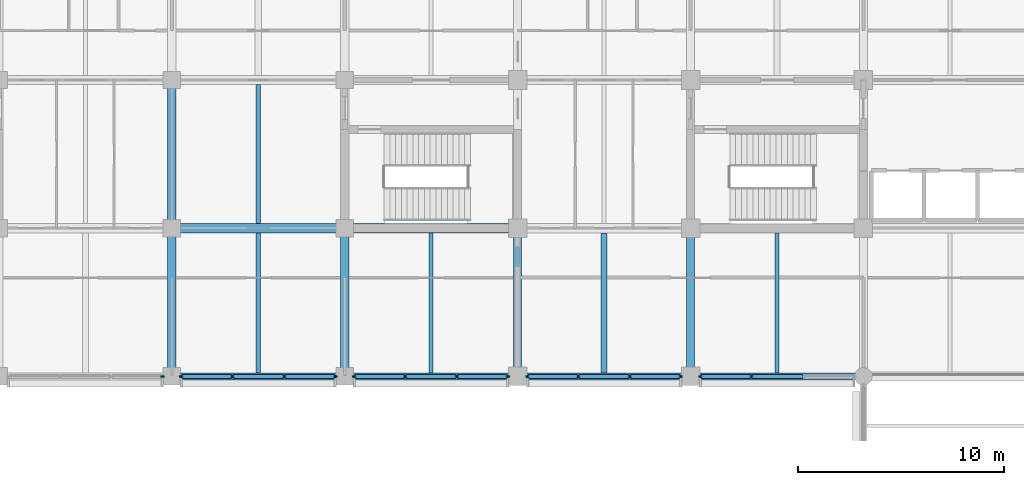
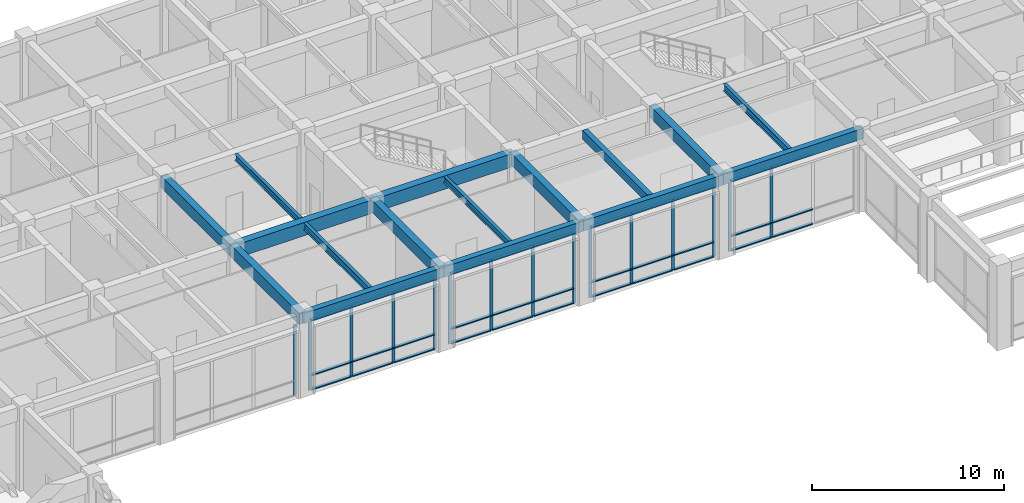
# One storey, part 6 of 58: 48 members, 16 beams, 5 elements without a shape of their own.
"""IFC4 building model written with IfcOpenShell, lengths in metres."""

from ifc_helpers import new_model, si_unit, direction, frame, origin, origin_2d, place, context, subcontext, project, spatial, rectangle, i_section, extrude, material, layer, layer_set, material_profile, profile_set, type_object, element, aggregate, save


model = new_model("IFC4")

# Units and contexts
model_context = context("Model", 3, precision=1e-05, world=origin(), true_north=direction((0.0, 1.0)))
body_context = subcontext(model_context, "Body", "Model", "MODEL_VIEW")
ifc_project = project(units=[si_unit("LENGTHUNIT", "METRE"), si_unit("AREAUNIT", "SQUARE_METRE"), si_unit("VOLUMEUNIT", "CUBIC_METRE"), si_unit("PLANEANGLEUNIT", "RADIAN"), si_unit("MASSUNIT", "GRAM", prefix="KILO")], contexts=[model_context])

# Site, building, storey
site_placement = place(None, origin())
site = spatial("IfcSite", under=ifc_project, at=site_placement, CompositionType="ELEMENT")
building_placement = place(site_placement, origin())
building = spatial("IfcBuilding", under=site, at=building_placement, Name="Chengyuan Square Courthouse", CompositionType="ELEMENT")
storey_placement = place(building_placement, frame((0.0, 0.0, 16.199951171875)))
storey = spatial("IfcBuildingStorey", under=building, at=storey_placement, Name="L04", CompositionType="ELEMENT", Elevation=16.199951171875)

# Beams
ifc_material_1 = material(Name="Concrete C40", Category="concrete")
ifc_material_profile_1 = material_profile(ifc_material_1, rectangle(XDim=0.449951171875, YDim=0.85009765625, at=origin_2d()), Name="RC-BM-450x850")
ifc_profile_set_1 = profile_set([ifc_material_profile_1], Name="Concrete C40")
beam_type_1 = type_object("IfcBeamType", Name="BM-01", PredefinedType="USERDEFINED", material=ifc_profile_set_1)
for number, where, z_axis, x_axis, name in (
    (1, (33.60009765625, 86.39990234375, 4.695068359375), (1.0, 0.0, 0.0), (0.0, 1.0, 0.0), "Girder BM-L04-2885"),
    (2, (42.0, 86.39990234375, 4.695068359375), (1.0, 0.0, 0.0), (0.0, 1.0, 0.0), "Girder BM-L04-2886"),
):
    element("IfcBeam", number, at=place(storey_placement, frame(where, z_axis=z_axis, x_axis=x_axis)), inside=storey, type_object=beam_type_1, Name=name, ObjectType="GIRDER", PredefinedType="USERDEFINED", context=body_context, shape_type="SweptSolid", body=[
        extrude(rectangle(XDim=0.449951171875, YDim=0.85009765625, at=origin_2d()), origin(), (0.0, 0.0, 1.0), 8.39990234375),
    ])
ifc_material_profile_2 = material_profile(ifc_material_1, rectangle(XDim=0.39990234375, YDim=0.75, at=origin_2d()), Name="RC-BM-400x750")
ifc_profile_set_2 = profile_set([ifc_material_profile_2], Name="Concrete C40")
beam_type_2 = type_object("IfcBeamType", Name="BM-02", PredefinedType="USERDEFINED", material=ifc_profile_set_2)
beam_1_placement = place(storey_placement, frame((33.60009765625, 79.199951171875, 4.7451171875), z_axis=(0.0, 1.0, 0.0), x_axis=(-1.0, 0.0, 0.0)))
element("IfcBeam", 3, at=beam_1_placement, inside=storey, type_object=beam_type_2, Name="Girder BM-L04-2997", ObjectType="GIRDER", PredefinedType="USERDEFINED", context=body_context, shape_type="SweptSolid", body=[
    extrude(rectangle(XDim=0.39990234375, YDim=0.75, at=origin_2d()), origin(), (0.0, 0.0, 1.0), 7.199951171875),
])
beam_2_placement = place(storey_placement, frame((33.60009765625, 86.39990234375, 4.7451171875), z_axis=(0.0, 1.0, 0.0), x_axis=(-1.0, 0.0, 0.0)))
element("IfcBeam", 4, at=beam_2_placement, inside=storey, type_object=beam_type_2, Name="Girder BM-L04-2998", ObjectType="GIRDER", PredefinedType="USERDEFINED", context=body_context, shape_type="SweptSolid", body=[
    extrude(rectangle(XDim=0.39990234375, YDim=0.75, at=origin_2d()), origin(), (0.0, 0.0, 1.0), 7.2001953125),
])
for number, where, z_axis, x_axis, name in (
    (5, (42.0, 79.199951171875, 4.7451171875), (0.0, 1.0, 0.0), (-1.0, 0.0, 0.0), "Girder BM-L04-3001"),
    (6, (50.39990234375, 79.199951171875, 4.7451171875), (0.0, 1.0, 0.0), (-1.0, 0.0, 0.0), "Girder BM-L04-3005"),
    (7, (58.800048828125, 79.199951171875, 4.7451171875), (0.0, 1.0, 0.0), (-1.0, 0.0, 0.0), "Girder BM-L04-3010"),
):
    element("IfcBeam", number, at=place(storey_placement, frame(where, z_axis=z_axis, x_axis=x_axis)), inside=storey, type_object=beam_type_2, Name=name, ObjectType="GIRDER", PredefinedType="USERDEFINED", context=body_context, shape_type="SweptSolid", body=[
        extrude(rectangle(XDim=0.39990234375, YDim=0.75, at=origin_2d()), origin(), (0.0, 0.0, 1.0), 7.199951171875),
    ])
ifc_material_profile_3 = material_profile(ifc_material_1, rectangle(XDim=0.35009765625, YDim=0.64990234375, at=origin_2d()), Name="RC-BM-350x650")
ifc_profile_set_3 = profile_set([ifc_material_profile_3], Name="Concrete C40")
beam_type_3 = type_object("IfcBeamType", Name="BM-03", PredefinedType="SPANDREL", material=ifc_profile_set_3)
for number, where, z_axis, x_axis, name in (
    (8, (33.60009765625, 79.199951171875, 4.795166015625), (1.0, 0.0, 0.0), (0.0, 1.0, 0.0), "Girder BM-L04-2865"),
    (9, (42.0, 79.199951171875, 4.795166015625), (1.0, 0.0, 0.0), (0.0, 1.0, 0.0), "Girder BM-L04-2866"),
):
    element("IfcBeam", number, at=place(storey_placement, frame(where, z_axis=z_axis, x_axis=x_axis)), inside=storey, type_object=beam_type_3, Name=name, PredefinedType="SPANDREL", context=body_context, shape_type="SweptSolid", body=[
        extrude(rectangle(XDim=0.35009765625, YDim=0.64990234375, at=origin_2d()), origin(), (0.0, 0.0, 1.0), 8.39990234375),
    ])
beam_3_placement = place(storey_placement, frame((50.39990234375, 79.199951171875, 4.795166015625), z_axis=(1.0, 0.0, 0.0), x_axis=(0.0, 1.0, 0.0)))
element("IfcBeam", 10, at=beam_3_placement, inside=storey, type_object=beam_type_3, Name="Girder BM-L04-2867", PredefinedType="SPANDREL", context=body_context, shape_type="SweptSolid", body=[
    extrude(rectangle(XDim=0.35009765625, YDim=0.64990234375, at=origin_2d()), origin(), (0.0, 0.0, 1.0), 8.400146484375),
])
beam_4_placement = place(storey_placement, frame((58.800048828125, 79.199951171875, 4.795166015625), z_axis=(1.0, 0.0, 0.0), x_axis=(0.0, 1.0, 0.0)))
element("IfcBeam", 11, at=beam_4_placement, inside=storey, type_object=beam_type_3, Name="Girder BM-L04-2868", PredefinedType="SPANDREL", context=body_context, shape_type="SweptSolid", body=[
    extrude(rectangle(XDim=0.35009765625, YDim=0.64990234375, at=origin_2d()), origin(), (0.0, 0.0, 1.0), 8.39990234375),
])
ifc_material_profile_4 = material_profile(ifc_material_1, rectangle(XDim=0.300048828125, YDim=0.550048828125, at=origin_2d()), Name="RC-BM-300x550")
ifc_profile_set_4 = profile_set([ifc_material_profile_4], Name="Concrete C40")
beam_type_4 = type_object("IfcBeamType", Name="BM-04", PredefinedType="BEAM", material=ifc_profile_set_4)
beam_5_placement = place(storey_placement, frame((54.60009765625, 79.375, 4.844970703125), z_axis=(0.0, 1.0, 0.0), x_axis=(-1.0, 0.0, 0.0)))
element("IfcBeam", 12, at=beam_5_placement, inside=storey, type_object=beam_type_4, Name="Secondary Floor Beam SBM-L04-3128", PredefinedType="BEAM", context=body_context, shape_type="SweptSolid", body=[
    extrude(rectangle(XDim=0.300048828125, YDim=0.550048828125, at=origin_2d()), origin(), (0.0, 0.0, 1.0), 6.800048828125),
])
ifc_material_2 = material(Name="Steel Q355B", Category="steel")
ifc_material_profile_5 = material_profile(ifc_material_2, i_section(OverallWidth=0.199951171875, OverallDepth=0.449951171875, WebThickness=0.009033203125, FlangeThickness=0.013916015625, at=origin_2d()), Name="HN 450x200x9x14")
ifc_profile_set_5 = profile_set([ifc_material_profile_5], Name="Steel Q355B")
beam_type_5 = type_object("IfcBeamType", Name="BM-06", PredefinedType="BEAM", material=ifc_profile_set_5)
for number, where, z_axis, x_axis, name in (
    (13, (37.800048828125, 79.375, 4.89501953125), (0.0, 1.0, 0.0), (-1.0, 0.0, 0.0), "Secondary Floor Beam SBM-L04-3121"),
    (14, (63.0, 79.375, 4.89501953125), (0.0, 1.0, 0.0), (-1.0, 0.0, 0.0), "Secondary Floor Beam SBM-L04-3133"),
):
    element("IfcBeam", number, at=place(storey_placement, frame(where, z_axis=z_axis, x_axis=x_axis)), inside=storey, type_object=beam_type_5, Name=name, PredefinedType="BEAM", context=body_context, shape_type="SweptSolid", body=[
        extrude(i_section(OverallWidth=0.199951171875, OverallDepth=0.449951171875, WebThickness=0.009033203125, FlangeThickness=0.013916015625, at=origin_2d()), origin(), (0.0, 0.0, 1.0), 6.800048828125),
    ])
ifc_material_profile_6 = material_profile(ifc_material_2, i_section(OverallWidth=0.199951171875, OverallDepth=0.39990234375, WebThickness=0.008056640625, FlangeThickness=0.012939453125, at=origin_2d()), Name="HN 400x200x8x13")
ifc_profile_set_6 = profile_set([ifc_material_profile_6], Name="Steel Q355B")
beam_type_6 = type_object("IfcBeamType", Name="BM-07", PredefinedType="BEAM", material=ifc_profile_set_6)
beam_6_placement = place(storey_placement, frame((37.800048828125, 86.625, 4.920166015625), z_axis=(0.0, 1.0, 0.0), x_axis=(-1.0, 0.0, 0.0)))
element("IfcBeam", 15, at=beam_6_placement, inside=storey, type_object=beam_type_6, Name="Secondary Floor Beam SBM-L04-3122", PredefinedType="BEAM", context=body_context, shape_type="SweptSolid", body=[
    extrude(i_section(OverallWidth=0.199951171875, OverallDepth=0.39990234375, WebThickness=0.008056640625, FlangeThickness=0.012939453125, at=origin_2d()), origin(), (0.0, 0.0, 1.0), 6.75),
])
beam_7_placement = place(storey_placement, frame((46.199951171875, 79.375, 4.920166015625), z_axis=(0.0, 1.0, 0.0), x_axis=(-1.0, 0.0, 0.0)))
element("IfcBeam", 16, at=beam_7_placement, inside=storey, type_object=beam_type_6, Name="Secondary Floor Beam SBM-L04-3125", PredefinedType="BEAM", context=body_context, shape_type="SweptSolid", body=[
    extrude(i_section(OverallWidth=0.199951171875, OverallDepth=0.39990234375, WebThickness=0.008056640625, FlangeThickness=0.012939453125, at=origin_2d()), origin(), (0.0, 0.0, 1.0), 6.800048828125),
])

# Curtain wall, member
ifc_material_3 = material(Name="Unitised Aluminium and Triple Low-E Glass", Category="aluminium")
ifc_layer = layer(ifc_material_3, 0.179931640625)
ifc_layer_set = layer_set([ifc_layer], Name="Unitised Aluminium and Triple Low-E Glass")
curtain_wall_type = type_object("IfcCurtainWallType", Name="CW-10", PredefinedType="USERDEFINED", material=ifc_layer_set)
curtain_wall_1_placement = place(storey_placement, origin())
curtain_wall_1 = element("IfcCurtainWall", 17, at=curtain_wall_1_placement, inside=storey, type_object=curtain_wall_type, Name="Unitised Curtain Wall CW-L04-135", ObjectType="UNITISED CURTAIN WALL", PredefinedType="USERDEFINED")
ifc_material_4 = material(Name="Aluminium 6063-T6 Frame", Category="aluminium")
ifc_material_profile_7 = material_profile(ifc_material_4, rectangle(XDim=0.06494140625, YDim=0.179931640625, at=origin_2d()), Name="CW-MUL-65x180")
ifc_profile_set_7 = profile_set([ifc_material_profile_7], Name="Aluminium 6063-T6 Frame")
member_type_1 = type_object("IfcMemberType", Name="CWM-02", PredefinedType="MULLION", material=ifc_profile_set_7)
member_1_placement = place(storey_placement, frame((33.142578125, 79.199951171875, 0.0), z_axis=(0.0, 0.0, 1.0), x_axis=(0.0, 1.0, 0.0)))
member_1 = element("IfcMember", 18, at=member_1_placement, type_object=member_type_1, Name="CW-10 mullion 4", PredefinedType="MULLION", context=body_context, shape_type="SweptSolid", body=[
    extrude(rectangle(XDim=0.06494140625, YDim=0.179931640625, at=origin_2d()), origin(), (0.0, 0.0, 1.0), 4.469970703125),
])
aggregate(curtain_wall_1, [member_1])

# Curtain wall, members
curtain_wall_2_placement = place(storey_placement, origin())
curtain_wall_2 = element("IfcCurtainWall", 19, at=curtain_wall_2_placement, inside=storey, type_object=curtain_wall_type, Name="Unitised Curtain Wall CW-L04-136", ObjectType="UNITISED CURTAIN WALL", PredefinedType="USERDEFINED")
member_2_placement = place(storey_placement, frame((34.0576171875, 79.199951171875, 0.0), z_axis=(0.0, 0.0, 1.0), x_axis=(0.0, 1.0, 0.0)))
member_2 = element("IfcMember", 20, at=member_2_placement, type_object=member_type_1, Name="CW-10 mullion 1", PredefinedType="MULLION", context=body_context, shape_type="SweptSolid", body=[
    extrude(rectangle(XDim=0.06494140625, YDim=0.179931640625, at=origin_2d()), origin(), (0.0, 0.0, 1.0), 4.469970703125),
])
member_3_placement = place(storey_placement, frame((36.541748046875, 79.199951171875, 0.0), z_axis=(0.0, 0.0, 1.0), x_axis=(0.0, 1.0, 0.0)))
member_3 = element("IfcMember", 21, at=member_3_placement, type_object=member_type_1, Name="CW-10 mullion 2", PredefinedType="MULLION", context=body_context, shape_type="SweptSolid", body=[
    extrude(rectangle(XDim=0.06494140625, YDim=0.179931640625, at=origin_2d()), origin(), (0.0, 0.0, 1.0), 4.469970703125),
])
member_4_placement = place(storey_placement, frame((39.058349609375, 79.199951171875, 0.0), z_axis=(0.0, 0.0, 1.0), x_axis=(0.0, 1.0, 0.0)))
member_4 = element("IfcMember", 22, at=member_4_placement, type_object=member_type_1, Name="CW-10 mullion 3", PredefinedType="MULLION", context=body_context, shape_type="SweptSolid", body=[
    extrude(rectangle(XDim=0.06494140625, YDim=0.179931640625, at=origin_2d()), origin(), (0.0, 0.0, 1.0), 4.469970703125),
])
member_5_placement = place(storey_placement, frame((41.54248046875, 79.199951171875, 0.0), z_axis=(0.0, 0.0, 1.0), x_axis=(0.0, 1.0, 0.0)))
member_5 = element("IfcMember", 23, at=member_5_placement, type_object=member_type_1, Name="CW-10 mullion 4", PredefinedType="MULLION", context=body_context, shape_type="SweptSolid", body=[
    extrude(rectangle(XDim=0.06494140625, YDim=0.179931640625, at=origin_2d()), origin(), (0.0, 0.0, 1.0), 4.469970703125),
])

curtain_wall_3_placement = place(storey_placement, origin())
curtain_wall_3 = element("IfcCurtainWall", 24, at=curtain_wall_3_placement, inside=storey, type_object=curtain_wall_type, Name="Unitised Curtain Wall CW-L04-137", ObjectType="UNITISED CURTAIN WALL", PredefinedType="USERDEFINED")
member_6_placement = place(storey_placement, frame((42.45751953125, 79.199951171875, 0.0), z_axis=(0.0, 0.0, 1.0), x_axis=(0.0, 1.0, 0.0)))
member_6 = element("IfcMember", 25, at=member_6_placement, type_object=member_type_1, Name="CW-10 mullion 1", PredefinedType="MULLION", context=body_context, shape_type="SweptSolid", body=[
    extrude(rectangle(XDim=0.06494140625, YDim=0.179931640625, at=origin_2d()), origin(), (0.0, 0.0, 1.0), 4.469970703125),
])
member_7_placement = place(storey_placement, frame((44.933349609375, 79.199951171875, 0.0), z_axis=(0.0, 0.0, 1.0), x_axis=(0.0, 1.0, 0.0)))
member_7 = element("IfcMember", 26, at=member_7_placement, type_object=member_type_1, Name="CW-10 mullion 2", PredefinedType="MULLION", context=body_context, shape_type="SweptSolid", body=[
    extrude(rectangle(XDim=0.06494140625, YDim=0.179931640625, at=origin_2d()), origin(), (0.0, 0.0, 1.0), 4.469970703125),
])
member_8_placement = place(storey_placement, frame((47.441650390625, 79.199951171875, 0.0), z_axis=(0.0, 0.0, 1.0), x_axis=(0.0, 1.0, 0.0)))
member_8 = element("IfcMember", 27, at=member_8_placement, type_object=member_type_1, Name="CW-10 mullion 3", PredefinedType="MULLION", context=body_context, shape_type="SweptSolid", body=[
    extrude(rectangle(XDim=0.06494140625, YDim=0.179931640625, at=origin_2d()), origin(), (0.0, 0.0, 1.0), 4.469970703125),
])
member_9_placement = place(storey_placement, frame((49.91748046875, 79.199951171875, 0.0), z_axis=(0.0, 0.0, 1.0), x_axis=(0.0, 1.0, 0.0)))
member_9 = element("IfcMember", 28, at=member_9_placement, type_object=member_type_1, Name="CW-10 mullion 4", PredefinedType="MULLION", context=body_context, shape_type="SweptSolid", body=[
    extrude(rectangle(XDim=0.06494140625, YDim=0.179931640625, at=origin_2d()), origin(), (0.0, 0.0, 1.0), 4.469970703125),
])

curtain_wall_4_placement = place(storey_placement, origin())
curtain_wall_4 = element("IfcCurtainWall", 29, at=curtain_wall_4_placement, inside=storey, type_object=curtain_wall_type, Name="Unitised Curtain Wall CW-L04-138", ObjectType="UNITISED CURTAIN WALL", PredefinedType="USERDEFINED")
member_10_placement = place(storey_placement, frame((50.882568359375, 79.199951171875, 0.0), z_axis=(0.0, 0.0, 1.0), x_axis=(0.0, 1.0, 0.0)))
member_10 = element("IfcMember", 30, at=member_10_placement, type_object=member_type_1, Name="CW-10 mullion 1", PredefinedType="MULLION", context=body_context, shape_type="SweptSolid", body=[
    extrude(rectangle(XDim=0.06494140625, YDim=0.179931640625, at=origin_2d()), origin(), (0.0, 0.0, 1.0), 4.469970703125),
])
member_11_placement = place(storey_placement, frame((53.35009765625, 79.199951171875, 0.0), z_axis=(0.0, 0.0, 1.0), x_axis=(0.0, 1.0, 0.0)))
member_11 = element("IfcMember", 31, at=member_11_placement, type_object=member_type_1, Name="CW-10 mullion 2", PredefinedType="MULLION", context=body_context, shape_type="SweptSolid", body=[
    extrude(rectangle(XDim=0.06494140625, YDim=0.179931640625, at=origin_2d()), origin(), (0.0, 0.0, 1.0), 4.469970703125),
])
member_12_placement = place(storey_placement, frame((55.85009765625, 79.199951171875, 0.0), z_axis=(0.0, 0.0, 1.0), x_axis=(0.0, 1.0, 0.0)))
member_12 = element("IfcMember", 32, at=member_12_placement, type_object=member_type_1, Name="CW-10 mullion 3", PredefinedType="MULLION", context=body_context, shape_type="SweptSolid", body=[
    extrude(rectangle(XDim=0.06494140625, YDim=0.179931640625, at=origin_2d()), origin(), (0.0, 0.0, 1.0), 4.469970703125),
])
member_13_placement = place(storey_placement, frame((58.3173828125, 79.199951171875, 0.0), z_axis=(0.0, 0.0, 1.0), x_axis=(0.0, 1.0, 0.0)))
member_13 = element("IfcMember", 33, at=member_13_placement, type_object=member_type_1, Name="CW-10 mullion 4", PredefinedType="MULLION", context=body_context, shape_type="SweptSolid", body=[
    extrude(rectangle(XDim=0.06494140625, YDim=0.179931640625, at=origin_2d()), origin(), (0.0, 0.0, 1.0), 4.469970703125),
])

curtain_wall_5_placement = place(storey_placement, origin())
curtain_wall_5 = element("IfcCurtainWall", 34, at=curtain_wall_5_placement, inside=storey, type_object=curtain_wall_type, Name="Unitised Curtain Wall CW-L04-139", ObjectType="UNITISED CURTAIN WALL", PredefinedType="USERDEFINED")
member_14_placement = place(storey_placement, frame((59.282470703125, 79.199951171875, 0.0), z_axis=(0.0, 0.0, 1.0), x_axis=(0.0, 1.0, 0.0)))
member_14 = element("IfcMember", 35, at=member_14_placement, type_object=member_type_1, Name="CW-10 mullion 1", PredefinedType="MULLION", context=body_context, shape_type="SweptSolid", body=[
    extrude(rectangle(XDim=0.06494140625, YDim=0.179931640625, at=origin_2d()), origin(), (0.0, 0.0, 1.0), 4.469970703125),
])
member_15_placement = place(storey_placement, frame((61.75830078125, 79.199951171875, 0.0), z_axis=(0.0, 0.0, 1.0), x_axis=(0.0, 1.0, 0.0)))
member_15 = element("IfcMember", 36, at=member_15_placement, type_object=member_type_1, Name="CW-10 mullion 2", PredefinedType="MULLION", context=body_context, shape_type="SweptSolid", body=[
    extrude(rectangle(XDim=0.06494140625, YDim=0.179931640625, at=origin_2d()), origin(), (0.0, 0.0, 1.0), 4.469970703125),
])

# Member
ifc_material_profile_8 = material_profile(ifc_material_4, rectangle(XDim=0.179931640625, YDim=0.06494140625, at=origin_2d()), Name="CW-TRN-65x140")
ifc_profile_set_8 = profile_set([ifc_material_profile_8], Name="Aluminium 6063-T6 Frame")
member_type_2 = type_object("IfcMemberType", Name="CWT-02", PredefinedType="USERDEFINED", material=ifc_profile_set_8)
member_16_placement = place(storey_placement, frame((34.090087890625, 79.199951171875, 0.032470703125), z_axis=(1.0, 0.0, 0.0), x_axis=(0.0, 1.0, 0.0)))
member_16 = element("IfcMember", 37, at=member_16_placement, type_object=member_type_2, Name="CW-10 transom 1.1", ObjectType="TRANSOM", PredefinedType="USERDEFINED", context=body_context, shape_type="SweptSolid", body=[
    extrude(rectangle(XDim=0.179931640625, YDim=0.06494140625, at=origin_2d()), origin(), (0.0, 0.0, 1.0), 2.419189453125),
])

member_17_placement = place(storey_placement, frame((34.090087890625, 79.199951171875, 0.949951171875), z_axis=(1.0, 0.0, 0.0), x_axis=(0.0, 1.0, 0.0)))
member_17 = element("IfcMember", 38, at=member_17_placement, type_object=member_type_2, Name="CW-10 transom 1.2", ObjectType="TRANSOM", PredefinedType="USERDEFINED", context=body_context, shape_type="SweptSolid", body=[
    extrude(rectangle(XDim=0.179931640625, YDim=0.06494140625, at=origin_2d()), origin(), (0.0, 0.0, 1.0), 2.419189453125),
])

member_18_placement = place(storey_placement, frame((34.090087890625, 79.199951171875, 4.4375), z_axis=(1.0, 0.0, 0.0), x_axis=(0.0, 1.0, 0.0)))
member_18 = element("IfcMember", 39, at=member_18_placement, type_object=member_type_2, Name="CW-10 transom 1.3", ObjectType="TRANSOM", PredefinedType="USERDEFINED", context=body_context, shape_type="SweptSolid", body=[
    extrude(rectangle(XDim=0.179931640625, YDim=0.06494140625, at=origin_2d()), origin(), (0.0, 0.0, 1.0), 2.419189453125),
])

member_19_placement = place(storey_placement, frame((36.57421875, 79.199951171875, 0.032470703125), z_axis=(1.0, 0.0, 0.0), x_axis=(0.0, 1.0, 0.0)))
member_19 = element("IfcMember", 40, at=member_19_placement, type_object=member_type_2, Name="CW-10 transom 2.1", ObjectType="TRANSOM", PredefinedType="USERDEFINED", context=body_context, shape_type="SweptSolid", body=[
    extrude(rectangle(XDim=0.179931640625, YDim=0.06494140625, at=origin_2d()), origin(), (0.0, 0.0, 1.0), 2.45166015625),
])

member_20_placement = place(storey_placement, frame((36.57421875, 79.199951171875, 0.949951171875), z_axis=(1.0, 0.0, 0.0), x_axis=(0.0, 1.0, 0.0)))
member_20 = element("IfcMember", 41, at=member_20_placement, type_object=member_type_2, Name="CW-10 transom 2.2", ObjectType="TRANSOM", PredefinedType="USERDEFINED", context=body_context, shape_type="SweptSolid", body=[
    extrude(rectangle(XDim=0.179931640625, YDim=0.06494140625, at=origin_2d()), origin(), (0.0, 0.0, 1.0), 2.45166015625),
])

member_21_placement = place(storey_placement, frame((36.57421875, 79.199951171875, 4.4375), z_axis=(1.0, 0.0, 0.0), x_axis=(0.0, 1.0, 0.0)))
member_21 = element("IfcMember", 42, at=member_21_placement, type_object=member_type_2, Name="CW-10 transom 2.3", ObjectType="TRANSOM", PredefinedType="USERDEFINED", context=body_context, shape_type="SweptSolid", body=[
    extrude(rectangle(XDim=0.179931640625, YDim=0.06494140625, at=origin_2d()), origin(), (0.0, 0.0, 1.0), 2.45166015625),
])

member_22_placement = place(storey_placement, frame((39.0908203125, 79.199951171875, 0.032470703125), z_axis=(1.0, 0.0, 0.0), x_axis=(0.0, 1.0, 0.0)))
member_22 = element("IfcMember", 43, at=member_22_placement, type_object=member_type_2, Name="CW-10 transom 3.1", ObjectType="TRANSOM", PredefinedType="USERDEFINED", context=body_context, shape_type="SweptSolid", body=[
    extrude(rectangle(XDim=0.179931640625, YDim=0.06494140625, at=origin_2d()), origin(), (0.0, 0.0, 1.0), 2.419189453125),
])

member_23_placement = place(storey_placement, frame((39.0908203125, 79.199951171875, 0.949951171875), z_axis=(1.0, 0.0, 0.0), x_axis=(0.0, 1.0, 0.0)))
member_23 = element("IfcMember", 44, at=member_23_placement, type_object=member_type_2, Name="CW-10 transom 3.2", ObjectType="TRANSOM", PredefinedType="USERDEFINED", context=body_context, shape_type="SweptSolid", body=[
    extrude(rectangle(XDim=0.179931640625, YDim=0.06494140625, at=origin_2d()), origin(), (0.0, 0.0, 1.0), 2.419189453125),
])

member_24_placement = place(storey_placement, frame((39.0908203125, 79.199951171875, 4.4375), z_axis=(1.0, 0.0, 0.0), x_axis=(0.0, 1.0, 0.0)))
member_24 = element("IfcMember", 45, at=member_24_placement, type_object=member_type_2, Name="CW-10 transom 3.3", ObjectType="TRANSOM", PredefinedType="USERDEFINED", context=body_context, shape_type="SweptSolid", body=[
    extrude(rectangle(XDim=0.179931640625, YDim=0.06494140625, at=origin_2d()), origin(), (0.0, 0.0, 1.0), 2.419189453125),
])

aggregate(curtain_wall_2, [member_2, member_3, member_4, member_5, member_16, member_17, member_18, member_19, member_20, member_21, member_22, member_23, member_24])

member_25_placement = place(storey_placement, frame((42.489990234375, 79.199951171875, 0.032470703125), z_axis=(1.0, 0.0, 0.0), x_axis=(0.0, 1.0, 0.0)))
member_25 = element("IfcMember", 46, at=member_25_placement, type_object=member_type_2, Name="CW-10 transom 1.1", ObjectType="TRANSOM", PredefinedType="USERDEFINED", context=body_context, shape_type="SweptSolid", body=[
    extrude(rectangle(XDim=0.179931640625, YDim=0.06494140625, at=origin_2d()), origin(), (0.0, 0.0, 1.0), 2.410888671875),
])

member_26_placement = place(storey_placement, frame((42.489990234375, 79.199951171875, 0.949951171875), z_axis=(1.0, 0.0, 0.0), x_axis=(0.0, 1.0, 0.0)))
member_26 = element("IfcMember", 47, at=member_26_placement, type_object=member_type_2, Name="CW-10 transom 1.2", ObjectType="TRANSOM", PredefinedType="USERDEFINED", context=body_context, shape_type="SweptSolid", body=[
    extrude(rectangle(XDim=0.179931640625, YDim=0.06494140625, at=origin_2d()), origin(), (0.0, 0.0, 1.0), 2.410888671875),
])

member_27_placement = place(storey_placement, frame((42.489990234375, 79.199951171875, 4.4375), z_axis=(1.0, 0.0, 0.0), x_axis=(0.0, 1.0, 0.0)))
member_27 = element("IfcMember", 48, at=member_27_placement, type_object=member_type_2, Name="CW-10 transom 1.3", ObjectType="TRANSOM", PredefinedType="USERDEFINED", context=body_context, shape_type="SweptSolid", body=[
    extrude(rectangle(XDim=0.179931640625, YDim=0.06494140625, at=origin_2d()), origin(), (0.0, 0.0, 1.0), 2.410888671875),
])

member_28_placement = place(storey_placement, frame((44.9658203125, 79.199951171875, 0.032470703125), z_axis=(1.0, 0.0, 0.0), x_axis=(0.0, 1.0, 0.0)))
member_28 = element("IfcMember", 49, at=member_28_placement, type_object=member_type_2, Name="CW-10 transom 2.1", ObjectType="TRANSOM", PredefinedType="USERDEFINED", context=body_context, shape_type="SweptSolid", body=[
    extrude(rectangle(XDim=0.179931640625, YDim=0.06494140625, at=origin_2d()), origin(), (0.0, 0.0, 1.0), 2.443359375),
])

member_29_placement = place(storey_placement, frame((44.9658203125, 79.199951171875, 0.949951171875), z_axis=(1.0, 0.0, 0.0), x_axis=(0.0, 1.0, 0.0)))
member_29 = element("IfcMember", 50, at=member_29_placement, type_object=member_type_2, Name="CW-10 transom 2.2", ObjectType="TRANSOM", PredefinedType="USERDEFINED", context=body_context, shape_type="SweptSolid", body=[
    extrude(rectangle(XDim=0.179931640625, YDim=0.06494140625, at=origin_2d()), origin(), (0.0, 0.0, 1.0), 2.443359375),
])

member_30_placement = place(storey_placement, frame((44.9658203125, 79.199951171875, 4.4375), z_axis=(1.0, 0.0, 0.0), x_axis=(0.0, 1.0, 0.0)))
member_30 = element("IfcMember", 51, at=member_30_placement, type_object=member_type_2, Name="CW-10 transom 2.3", ObjectType="TRANSOM", PredefinedType="USERDEFINED", context=body_context, shape_type="SweptSolid", body=[
    extrude(rectangle(XDim=0.179931640625, YDim=0.06494140625, at=origin_2d()), origin(), (0.0, 0.0, 1.0), 2.443359375),
])

member_31_placement = place(storey_placement, frame((47.47412109375, 79.199951171875, 0.032470703125), z_axis=(1.0, 0.0, 0.0), x_axis=(0.0, 1.0, 0.0)))
member_31 = element("IfcMember", 52, at=member_31_placement, type_object=member_type_2, Name="CW-10 transom 3.1", ObjectType="TRANSOM", PredefinedType="USERDEFINED", context=body_context, shape_type="SweptSolid", body=[
    extrude(rectangle(XDim=0.179931640625, YDim=0.06494140625, at=origin_2d()), origin(), (0.0, 0.0, 1.0), 2.410888671875),
])

member_32_placement = place(storey_placement, frame((47.47412109375, 79.199951171875, 0.949951171875), z_axis=(1.0, 0.0, 0.0), x_axis=(0.0, 1.0, 0.0)))
member_32 = element("IfcMember", 53, at=member_32_placement, type_object=member_type_2, Name="CW-10 transom 3.2", ObjectType="TRANSOM", PredefinedType="USERDEFINED", context=body_context, shape_type="SweptSolid", body=[
    extrude(rectangle(XDim=0.179931640625, YDim=0.06494140625, at=origin_2d()), origin(), (0.0, 0.0, 1.0), 2.410888671875),
])

member_33_placement = place(storey_placement, frame((47.47412109375, 79.199951171875, 4.4375), z_axis=(1.0, 0.0, 0.0), x_axis=(0.0, 1.0, 0.0)))
member_33 = element("IfcMember", 54, at=member_33_placement, type_object=member_type_2, Name="CW-10 transom 3.3", ObjectType="TRANSOM", PredefinedType="USERDEFINED", context=body_context, shape_type="SweptSolid", body=[
    extrude(rectangle(XDim=0.179931640625, YDim=0.06494140625, at=origin_2d()), origin(), (0.0, 0.0, 1.0), 2.410888671875),
])

aggregate(curtain_wall_3, [member_6, member_7, member_8, member_9, member_25, member_26, member_27, member_28, member_29, member_30, member_31, member_32, member_33])

member_34_placement = place(storey_placement, frame((50.9150390625, 79.199951171875, 0.032470703125), z_axis=(1.0, 0.0, 0.0), x_axis=(0.0, 1.0, 0.0)))
member_34 = element("IfcMember", 55, at=member_34_placement, type_object=member_type_2, Name="CW-10 transom 1.1", ObjectType="TRANSOM", PredefinedType="USERDEFINED", context=body_context, shape_type="SweptSolid", body=[
    extrude(rectangle(XDim=0.179931640625, YDim=0.06494140625, at=origin_2d()), origin(), (0.0, 0.0, 1.0), 2.40234375),
])

member_35_placement = place(storey_placement, frame((50.9150390625, 79.199951171875, 0.949951171875), z_axis=(1.0, 0.0, 0.0), x_axis=(0.0, 1.0, 0.0)))
member_35 = element("IfcMember", 56, at=member_35_placement, type_object=member_type_2, Name="CW-10 transom 1.2", ObjectType="TRANSOM", PredefinedType="USERDEFINED", context=body_context, shape_type="SweptSolid", body=[
    extrude(rectangle(XDim=0.179931640625, YDim=0.06494140625, at=origin_2d()), origin(), (0.0, 0.0, 1.0), 2.40234375),
])

member_36_placement = place(storey_placement, frame((50.9150390625, 79.199951171875, 4.4375), z_axis=(1.0, 0.0, 0.0), x_axis=(0.0, 1.0, 0.0)))
member_36 = element("IfcMember", 57, at=member_36_placement, type_object=member_type_2, Name="CW-10 transom 1.3", ObjectType="TRANSOM", PredefinedType="USERDEFINED", context=body_context, shape_type="SweptSolid", body=[
    extrude(rectangle(XDim=0.179931640625, YDim=0.06494140625, at=origin_2d()), origin(), (0.0, 0.0, 1.0), 2.40234375),
])

member_37_placement = place(storey_placement, frame((53.382568359375, 79.199951171875, 0.032470703125), z_axis=(1.0, 0.0, 0.0), x_axis=(0.0, 1.0, 0.0)))
member_37 = element("IfcMember", 58, at=member_37_placement, type_object=member_type_2, Name="CW-10 transom 2.1", ObjectType="TRANSOM", PredefinedType="USERDEFINED", context=body_context, shape_type="SweptSolid", body=[
    extrude(rectangle(XDim=0.179931640625, YDim=0.06494140625, at=origin_2d()), origin(), (0.0, 0.0, 1.0), 2.434814453125),
])

member_38_placement = place(storey_placement, frame((53.382568359375, 79.199951171875, 0.949951171875), z_axis=(1.0, 0.0, 0.0), x_axis=(0.0, 1.0, 0.0)))
member_38 = element("IfcMember", 59, at=member_38_placement, type_object=member_type_2, Name="CW-10 transom 2.2", ObjectType="TRANSOM", PredefinedType="USERDEFINED", context=body_context, shape_type="SweptSolid", body=[
    extrude(rectangle(XDim=0.179931640625, YDim=0.06494140625, at=origin_2d()), origin(), (0.0, 0.0, 1.0), 2.434814453125),
])

member_39_placement = place(storey_placement, frame((53.382568359375, 79.199951171875, 4.4375), z_axis=(1.0, 0.0, 0.0), x_axis=(0.0, 1.0, 0.0)))
member_39 = element("IfcMember", 60, at=member_39_placement, type_object=member_type_2, Name="CW-10 transom 2.3", ObjectType="TRANSOM", PredefinedType="USERDEFINED", context=body_context, shape_type="SweptSolid", body=[
    extrude(rectangle(XDim=0.179931640625, YDim=0.06494140625, at=origin_2d()), origin(), (0.0, 0.0, 1.0), 2.434814453125),
])

member_40_placement = place(storey_placement, frame((55.882568359375, 79.199951171875, 0.032470703125), z_axis=(1.0, 0.0, 0.0), x_axis=(0.0, 1.0, 0.0)))
member_40 = element("IfcMember", 61, at=member_40_placement, type_object=member_type_2, Name="CW-10 transom 3.1", ObjectType="TRANSOM", PredefinedType="USERDEFINED", context=body_context, shape_type="SweptSolid", body=[
    extrude(rectangle(XDim=0.179931640625, YDim=0.06494140625, at=origin_2d()), origin(), (0.0, 0.0, 1.0), 2.40234375),
])

member_41_placement = place(storey_placement, frame((55.882568359375, 79.199951171875, 0.949951171875), z_axis=(1.0, 0.0, 0.0), x_axis=(0.0, 1.0, 0.0)))
member_41 = element("IfcMember", 62, at=member_41_placement, type_object=member_type_2, Name="CW-10 transom 3.2", ObjectType="TRANSOM", PredefinedType="USERDEFINED", context=body_context, shape_type="SweptSolid", body=[
    extrude(rectangle(XDim=0.179931640625, YDim=0.06494140625, at=origin_2d()), origin(), (0.0, 0.0, 1.0), 2.40234375),
])

member_42_placement = place(storey_placement, frame((55.882568359375, 79.199951171875, 4.4375), z_axis=(1.0, 0.0, 0.0), x_axis=(0.0, 1.0, 0.0)))
member_42 = element("IfcMember", 63, at=member_42_placement, type_object=member_type_2, Name="CW-10 transom 3.3", ObjectType="TRANSOM", PredefinedType="USERDEFINED", context=body_context, shape_type="SweptSolid", body=[
    extrude(rectangle(XDim=0.179931640625, YDim=0.06494140625, at=origin_2d()), origin(), (0.0, 0.0, 1.0), 2.40234375),
])

aggregate(curtain_wall_4, [member_10, member_11, member_12, member_13, member_34, member_35, member_36, member_37, member_38, member_39, member_40, member_41, member_42])

member_43_placement = place(storey_placement, frame((59.31494140625, 79.199951171875, 0.032470703125), z_axis=(1.0, 0.0, 0.0), x_axis=(0.0, 1.0, 0.0)))
member_43 = element("IfcMember", 64, at=member_43_placement, type_object=member_type_2, Name="CW-10 transom 1.1", ObjectType="TRANSOM", PredefinedType="USERDEFINED", context=body_context, shape_type="SweptSolid", body=[
    extrude(rectangle(XDim=0.179931640625, YDim=0.06494140625, at=origin_2d()), origin(), (0.0, 0.0, 1.0), 2.410888671875),
])

member_44_placement = place(storey_placement, frame((59.31494140625, 79.199951171875, 0.949951171875), z_axis=(1.0, 0.0, 0.0), x_axis=(0.0, 1.0, 0.0)))
member_44 = element("IfcMember", 65, at=member_44_placement, type_object=member_type_2, Name="CW-10 transom 1.2", ObjectType="TRANSOM", PredefinedType="USERDEFINED", context=body_context, shape_type="SweptSolid", body=[
    extrude(rectangle(XDim=0.179931640625, YDim=0.06494140625, at=origin_2d()), origin(), (0.0, 0.0, 1.0), 2.410888671875),
])

member_45_placement = place(storey_placement, frame((59.31494140625, 79.199951171875, 4.4375), z_axis=(1.0, 0.0, 0.0), x_axis=(0.0, 1.0, 0.0)))
member_45 = element("IfcMember", 66, at=member_45_placement, type_object=member_type_2, Name="CW-10 transom 1.3", ObjectType="TRANSOM", PredefinedType="USERDEFINED", context=body_context, shape_type="SweptSolid", body=[
    extrude(rectangle(XDim=0.179931640625, YDim=0.06494140625, at=origin_2d()), origin(), (0.0, 0.0, 1.0), 2.410888671875),
])

member_46_placement = place(storey_placement, frame((61.790771484375, 79.199951171875, 0.032470703125), z_axis=(1.0, 0.0, 0.0), x_axis=(0.0, 1.0, 0.0)))
member_46 = element("IfcMember", 67, at=member_46_placement, type_object=member_type_2, Name="CW-10 transom 2.1", ObjectType="TRANSOM", PredefinedType="USERDEFINED", context=body_context, shape_type="SweptSolid", body=[
    extrude(rectangle(XDim=0.179931640625, YDim=0.06494140625, at=origin_2d()), origin(), (0.0, 0.0, 1.0), 2.443359375),
])

member_47_placement = place(storey_placement, frame((61.790771484375, 79.199951171875, 0.949951171875), z_axis=(1.0, 0.0, 0.0), x_axis=(0.0, 1.0, 0.0)))
member_47 = element("IfcMember", 68, at=member_47_placement, type_object=member_type_2, Name="CW-10 transom 2.2", ObjectType="TRANSOM", PredefinedType="USERDEFINED", context=body_context, shape_type="SweptSolid", body=[
    extrude(rectangle(XDim=0.179931640625, YDim=0.06494140625, at=origin_2d()), origin(), (0.0, 0.0, 1.0), 2.443359375),
])

member_48_placement = place(storey_placement, frame((61.790771484375, 79.199951171875, 4.4375), z_axis=(1.0, 0.0, 0.0), x_axis=(0.0, 1.0, 0.0)))
member_48 = element("IfcMember", 69, at=member_48_placement, type_object=member_type_2, Name="CW-10 transom 2.3", ObjectType="TRANSOM", PredefinedType="USERDEFINED", context=body_context, shape_type="SweptSolid", body=[
    extrude(rectangle(XDim=0.179931640625, YDim=0.06494140625, at=origin_2d()), origin(), (0.0, 0.0, 1.0), 2.443359375),
])

aggregate(curtain_wall_5, [member_14, member_15, member_43, member_44, member_45, member_46, member_47, member_48])

save(model, "model.ifc")
